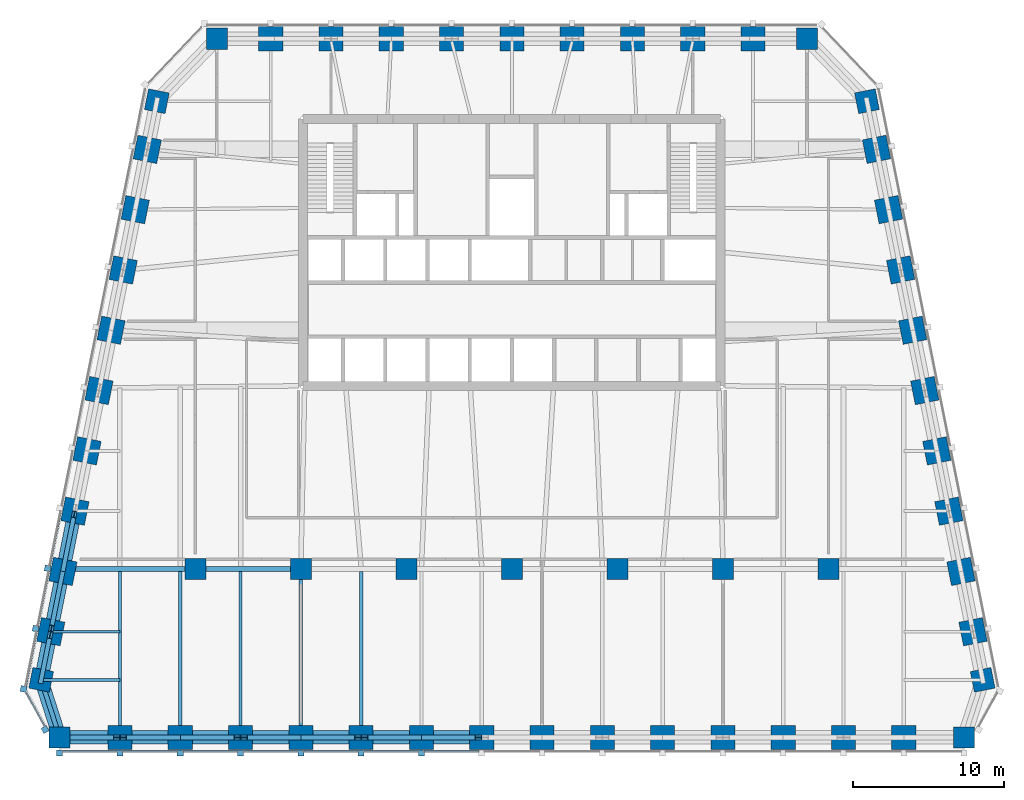
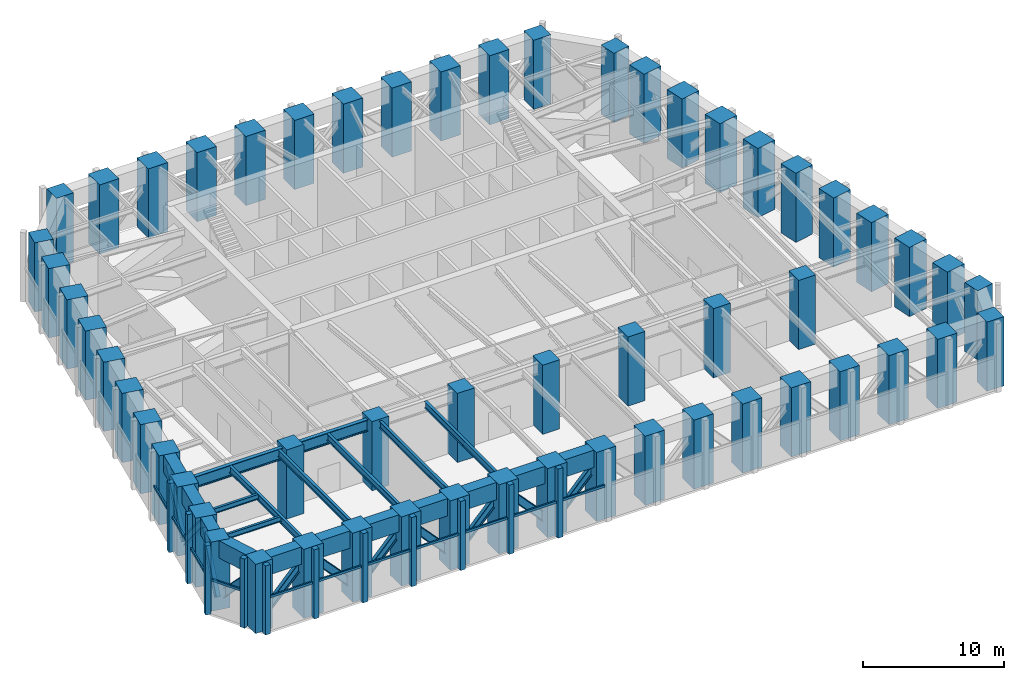
# One storey, part 1 of 9: 56 columns, 33 members, 20 beams, 3 elements without a shape of their own.
"""IFC4 building model written with IfcOpenShell, lengths in metres."""

import ifcopenshell
import ifcopenshell.guid

model = None  # the IFC model being written
_history = None  # IfcOwnerHistory: only IFC2X3 demands one
_inside = {}  # id of a spatial element -> (the spatial element, [elements in it])
_under = {}  # id of a project, library or spatial element -> (it, [spatial elements below it])
_declared = {}  # id of a project -> (the project, [libraries it declares])
_typed = {}  # id of a type object -> (the type object, [elements of that type])
_made_of = {}  # id of a material, layer set ... -> (it, [elements and type objects made of it])


def new_model(schema):
    """Start an empty IFC model of exactly this schema.

    Asked for "IFC4X3", IfcOpenShell would pick the latest addendum, in which some entities
    have other attributes; the version numbers below select the first issue.
    IFC2X3 requires an IfcOwnerHistory on every rooted entity: one is made here for all.
    """
    global model, _history
    if schema == "IFC4X3":
        model = ifcopenshell.file(schema_version=(4, 3, 0, 0))
    else:
        model = ifcopenshell.file(schema=schema)
    _inside.clear()
    _under.clear()
    _declared.clear()
    _typed.clear()
    _made_of.clear()
    _history = None
    if model.schema == "IFC2X3":
        org = make("IfcOrganization", Name="unknown")
        user = make(
            "IfcPersonAndOrganization",
            ThePerson=make("IfcPerson", FamilyName="unknown"),
            TheOrganization=org,
        )
        app = make(
            "IfcApplication",
            ApplicationDeveloper=org,
            Version="unknown",
            ApplicationFullName="unknown",
            ApplicationIdentifier="unknown",
        )
        _history = make(
            "IfcOwnerHistory",
            OwningUser=user,
            OwningApplication=app,
            ChangeAction="ADDED",
            CreationDate=0,
        )
    return model


def make(cls, **values):
    """One entity of the class cls with the attributes given. An attribute that is None is left unset."""
    return model.create_entity(
        cls, **{name: value for name, value in values.items() if value is not None}
    )


def rooted(cls, **values):
    """An entity with a GlobalId (a new one), such as an element, a storey or a relation."""
    return make(cls, GlobalId=ifcopenshell.guid.new(), OwnerHistory=_history, **values)


def si_unit(unit_type, name, prefix=None):
    """IfcSIUnit, for example si_unit("LENGTHUNIT", "METRE", prefix="MILLI")."""
    return make("IfcSIUnit", UnitType=unit_type, Prefix=prefix, Name=name)


def assignment(units):
    """IfcUnitAssignment: the units of a project."""
    return None if units is None else make("IfcUnitAssignment", Units=units)


def point(xyz):
    """IfcCartesianPoint."""
    return None if xyz is None else make("IfcCartesianPoint", Coordinates=xyz)


def direction(xyz):
    """IfcDirection."""
    return None if xyz is None else make("IfcDirection", DirectionRatios=xyz)


def frame(location, z_axis=None, x_axis=None):
    """IfcAxis2Placement3D, a coordinate frame: its origin and axes. An axis left out is left unset."""
    return make(
        "IfcAxis2Placement3D",
        Location=point(location),
        Axis=direction(z_axis),
        RefDirection=direction(x_axis),
    )


def frame_2d(location, x_axis=None):
    """IfcAxis2Placement2D, a coordinate frame in the plane: its origin and x axis."""
    return make(
        "IfcAxis2Placement2D", Location=point(location), RefDirection=direction(x_axis)
    )


def origin():
    """The frame at (0, 0, 0) with its axes left unset."""
    return frame((0.0, 0.0, 0.0))


def origin_2d():
    """The frame at (0, 0) in the plane with its x axis left unset."""
    return frame_2d((0.0, 0.0))


def place(relative_to, where):
    """IfcLocalPlacement: puts the frame where relative to a parent placement (None: the world)."""
    return make(
        "IfcLocalPlacement", PlacementRelTo=relative_to, RelativePlacement=where
    )


def context(
    kind, dimensions, precision=None, world=None, true_north=None, identifier=None
):
    """IfcGeometricRepresentationContext, for example the 3D "Model" context."""
    return make(
        "IfcGeometricRepresentationContext",
        ContextIdentifier=identifier,
        ContextType=kind,
        CoordinateSpaceDimension=dimensions,
        Precision=precision,
        WorldCoordinateSystem=world,
        TrueNorth=true_north,
    )


def subcontext(parent, identifier, kind, view, scale=None):
    """IfcGeometricRepresentationSubContext, for example "Body" below "Model"."""
    return make(
        "IfcGeometricRepresentationSubContext",
        ContextIdentifier=identifier,
        ContextType=kind,
        ParentContext=parent,
        TargetScale=scale,
        TargetView=view,
    )


def project(units=None, contexts=None):
    """IfcProject with its units and contexts."""
    return rooted(
        "IfcProject",
        Name="project",
        RepresentationContexts=contexts,
        UnitsInContext=assignment(units),
    )


def spatial(cls, under=None, at=None, **own):
    """A site, building, storey or space (cls), placed at a placement, below another one or the project."""
    s = rooted(cls, ObjectPlacement=at, **own)
    if under is not None:
        _under.setdefault(under.id(), (under, []))[1].append(s)
    return s


def profile(cls, at=None, kind="AREA", **sizes):
    """A parametric profile (cls). Its sizes go by their IFC names, for example OverallWidth=200.0."""
    return make(cls, ProfileType=kind, Position=at, **sizes)


def rectangle(**sizes):
    """IfcRectangleProfileDef."""
    return profile("IfcRectangleProfileDef", **sizes)


def i_section(**sizes):
    """IfcIShapeProfileDef."""
    return profile("IfcIShapeProfileDef", **sizes)


def extrude(swept, where, along, depth):
    """IfcExtrudedAreaSolid: the profile swept, set in the frame where, extruded along a direction by depth."""
    return make(
        "IfcExtrudedAreaSolid",
        SweptArea=swept,
        Position=where,
        ExtrudedDirection=direction(along),
        Depth=depth,
    )


def shape(context_of_items, identifier, shape_type, items):
    """IfcShapeRepresentation: the items that make up one representation, for example the "Body"."""
    return make(
        "IfcShapeRepresentation",
        ContextOfItems=context_of_items,
        RepresentationIdentifier=identifier,
        RepresentationType=shape_type,
        Items=items,
    )


def material(Name=None, Category=None):
    """IfcMaterial."""
    return make("IfcMaterial", Name=Name, Category=Category)


def material_profile(
    of_material, cross_section, Name=None, Category=None, Priority=None
):
    """IfcMaterialProfile: a cross section and its material."""
    return make(
        "IfcMaterialProfile",
        Name=Name,
        Material=of_material,
        Profile=cross_section,
        Priority=Priority,
        Category=Category,
    )


def profile_set(profiles, Name=None, composite=None):
    """IfcMaterialProfileSet."""
    return make(
        "IfcMaterialProfileSet",
        Name=Name,
        MaterialProfiles=profiles,
        CompositeProfile=composite,
    )


def made_of(thing, what):
    """Note that an element or type object is made of a material, layer set ...; save() writes the relation."""
    if what is not None:
        _made_of.setdefault(what.id(), (what, []))[1].append(thing)
    return thing


def type_object(cls, material=None, **own):
    """A type object (cls), such as IfcWallType, which elements share."""
    return made_of(rooted(cls, **own), material)


def element(
    cls,
    number,
    at=None,
    inside=None,
    cuts=None,
    type_object=None,
    material=None,
    context=None,
    identifier="Body",
    shape_type=None,
    held_by="IfcProductDefinitionShape",
    body=None,
    shapes=None,
    **own,
):
    """One element of the class cls, such as IfcWall. Its Tag is "e" and its number.

    at: its placement. inside: the storey or other place that contains it. cuts: it is an
    opening in that element (IfcRelVoidsElement). A single representation is given by context,
    identifier, shape_type and body (its items); several are given by shapes. held_by: the class
    of the entity that holds the representations. save() writes the other relations.
    """
    e = rooted(cls, Tag="e%d" % number, ObjectPlacement=at, **own)
    if body is not None:
        shapes = [shape(context, identifier, shape_type, body)]
    if shapes is not None:
        e.Representation = make(held_by, Representations=shapes)
    if inside is not None:
        _inside.setdefault(inside.id(), (inside, []))[1].append(e)
    if cuts is not None:
        rooted(
            "IfcRelVoidsElement", RelatingBuildingElement=cuts, RelatedOpeningElement=e
        )
    if type_object is not None:
        _typed.setdefault(type_object.id(), (type_object, []))[1].append(e)
    return made_of(e, material)


def aggregate(whole, parts):
    """IfcRelAggregates: a whole, such as a stair, and the parts it consists of."""
    return rooted("IfcRelAggregates", RelatingObject=whole, RelatedObjects=parts)


def save(model, path):
    """Write the relations noted so far, then the file.

    IfcRelAggregates (storeys below a building ...), IfcRelContainedInSpatialStructure (elements
    in a storey), IfcRelDefinesByType, IfcRelAssociatesMaterial and IfcRelDeclares: one each for
    every whole, place, type object, material and project.
    """
    for whole, parts in _under.values():
        aggregate(whole, parts)
    for where, things in _inside.values():
        rooted(
            "IfcRelContainedInSpatialStructure",
            RelatedElements=things,
            RelatingStructure=where,
        )
    for kind, things in _typed.values():
        rooted("IfcRelDefinesByType", RelatedObjects=things, RelatingType=kind)
    for what, things in _made_of.values():
        rooted("IfcRelAssociatesMaterial", RelatedObjects=things, RelatingMaterial=what)
    for by, libraries in _declared.values():
        rooted("IfcRelDeclares", RelatingContext=by, RelatedDefinitions=libraries)
    model.write(path)


model = new_model("IFC4")

# Units and contexts
model_context = context("Model", 3, precision=1e-05, world=origin(), true_north=direction((0.0, 1.0)))
body_context = subcontext(model_context, "Body", "Model", "MODEL_VIEW")
ifc_project = project(units=[si_unit("LENGTHUNIT", "METRE"), si_unit("AREAUNIT", "SQUARE_METRE"), si_unit("VOLUMEUNIT", "CUBIC_METRE"), si_unit("PLANEANGLEUNIT", "RADIAN"), si_unit("MASSUNIT", "GRAM", prefix="KILO")], contexts=[model_context])

# Site, building, storey
site_placement = place(None, origin())
site = spatial("IfcSite", under=ifc_project, at=site_placement, CompositionType="ELEMENT")
building_placement = place(site_placement, origin())
building = spatial("IfcBuilding", under=site, at=building_placement, Name="Isbrekke Arena Tower", CompositionType="ELEMENT")
storey_placement = place(building_placement, frame((0.0, 0.0, 242.0)))
storey = spatial("IfcBuildingStorey", under=building, at=storey_placement, Name="L56", CompositionType="ELEMENT", Elevation=242.0)

# Columns
ifc_material_1 = material(Name="Concrete B65 (C65/80)", Category="concrete")
ifc_material_profile_1 = material_profile(ifc_material_1, rectangle(XDim=1.39990234375, YDim=1.39990234375, at=origin_2d()), Name="RC 1400x1400")
ifc_profile_set_1 = profile_set([ifc_material_profile_1], Name="Concrete B65 (C65/80)")
column_type_1 = type_object("IfcColumnType", Name="C13 RC 1400 x 1400", PredefinedType="COLUMN", material=ifc_profile_set_1)
for number, where, z_axis, x_axis, name in (
    (1, (-21.0, -6.0, 0.0), (0.0, 0.0, 1.0), (1.0, 0.0, 0.0), "C13 I01"),
    (2, (-14.0, -6.0, 0.0), (0.0, 0.0, 1.0), (1.0, 0.0, 0.0), "C13 I02"),
    (3, (-7.0, -6.0, 0.0), (0.0, 0.0, 1.0), (1.0, 0.0, 0.0), "C13 I03"),
    (4, (0.0, -6.0, 0.0), (0.0, 0.0, 1.0), (1.0, 0.0, 0.0), "C13 I04"),
    (5, (7.0, -6.0, 0.0), (0.0, 0.0, 1.0), (1.0, 0.0, 0.0), "C13 I05"),
    (6, (14.0, -6.0, 0.0), (0.0, 0.0, 1.0), (1.0, 0.0, 0.0), "C13 I06"),
    (7, (21.0, -6.0, 0.0), (0.0, 0.0, 1.0), (1.0, 0.0, 0.0), "C13 I07"),
):
    element("IfcColumn", number, at=place(storey_placement, frame(where, z_axis=z_axis, x_axis=x_axis)), inside=storey, type_object=column_type_1, Name=name, PredefinedType="COLUMN", context=body_context, shape_type="SweptSolid", body=[
        extrude(rectangle(XDim=1.39990234375, YDim=1.39990234375, at=origin_2d()), origin(), (0.0, 0.0, 1.0), 6.0),
    ])
ifc_material_2 = material(Name="Concrete B65 (C65/80)", Category="concrete")
ifc_material_profile_2 = material_profile(ifc_material_2, rectangle(XDim=1.60009765625, YDim=1.60009765625, at=origin_2d()), Name="RC 1600x1600")
ifc_profile_set_2 = profile_set([ifc_material_profile_2], Name="Concrete B65 (C65/80)")
column_type_2 = type_object("IfcColumnType", Name="C4 RC 1600 x 1600", PredefinedType="COLUMN", material=ifc_profile_set_2)
for number, where, z_axis, x_axis, name in (
    (8, (-26.0, -17.175048828125, 0.0), (0.0, 0.0, 1.0), (1.0, 0.0, 0.0), "C4 S02"),
    (9, (-22.0, -17.175048828125, 0.0), (0.0, 0.0, 1.0), (1.0, 0.0, 0.0), "C4 S03"),
    (10, (-18.0, -17.175048828125, 0.0), (0.0, 0.0, 1.0), (1.0, 0.0, 0.0), "C4 S04"),
    (11, (-14.0, -17.175048828125, 0.0), (0.0, 0.0, 1.0), (1.0, 0.0, 0.0), "C4 S05"),
    (12, (-10.0, -17.175048828125, 0.0), (0.0, 0.0, 1.0), (1.0, 0.0, 0.0), "C4 S06"),
    (13, (-6.0, -17.175048828125, 0.0), (0.0, 0.0, 1.0), (1.0, 0.0, 0.0), "C4 S07"),
    (14, (-2.0, -17.175048828125, 0.0), (0.0, 0.0, 1.0), (1.0, 0.0, 0.0), "C4 S08"),
    (15, (2.0, -17.175048828125, 0.0), (0.0, 0.0, 1.0), (1.0, 0.0, 0.0), "C4 S09"),
    (16, (6.0, -17.175048828125, 0.0), (0.0, 0.0, 1.0), (1.0, 0.0, 0.0), "C4 S10"),
    (17, (10.0, -17.175048828125, 0.0), (0.0, 0.0, 1.0), (1.0, 0.0, 0.0), "C4 S11"),
    (18, (14.0, -17.175048828125, 0.0), (0.0, 0.0, 1.0), (1.0, 0.0, 0.0), "C4 S12"),
    (19, (18.0, -17.175048828125, 0.0), (0.0, 0.0, 1.0), (1.0, 0.0, 0.0), "C4 S13"),
    (20, (22.0, -17.175048828125, 0.0), (0.0, 0.0, 1.0), (1.0, 0.0, 0.0), "C4 S14"),
    (21, (26.0, -17.175048828125, 0.0), (0.0, 0.0, 1.0), (1.0, 0.0, 0.0), "C4 S15"),
    (22, (30.591064453125, -10.161865234375, 0.0), (0.0, 0.0, 1.0), (-0.196116135138, 0.980580675691, 0.0), "C4 E02"),
    (23, (29.791015625, -6.161865234375, 0.0), (0.0, 0.0, 1.0), (-0.196116135138, 0.980580675691, 0.0), "C4 E03"),
    (24, (28.990966796875, -2.161865234375, 0.0), (0.0, 0.0, 1.0), (-0.196116135138, 0.980580675691, 0.0), "C4 E04"),
    (25, (28.19091796875, 1.838134765625, 0.0), (0.0, 0.0, 1.0), (-0.196116135138, 0.980580675691, 0.0), "C4 E05"),
    (26, (27.39111328125, 5.838134765625, 0.0), (0.0, 0.0, 1.0), (-0.196116135138, 0.980580675691, 0.0), "C4 E06"),
    (27, (26.591064453125, 9.838134765625, 0.0), (0.0, 0.0, 1.0), (-0.196116135138, 0.980580675691, 0.0), "C4 E07"),
    (28, (25.791015625, 13.838134765625, 0.0), (0.0, 0.0, 1.0), (-0.196116135138, 0.980580675691, 0.0), "C4 E08"),
    (29, (24.990966796875, 17.838134765625, 0.0), (0.0, 0.0, 1.0), (-0.196116135138, 0.980580675691, 0.0), "C4 E09"),
    (30, (24.19091796875, 21.838134765625, 0.0), (0.0, 0.0, 1.0), (-0.196116135138, 0.980580675691, 0.0), "C4 E10"),
    (31, (16.0, 29.175048828125, 0.0), (0.0, 0.0, 1.0), (-1.0, 0.0, 0.0), "C4 N02"),
    (32, (12.0, 29.175048828125, 0.0), (0.0, 0.0, 1.0), (-1.0, 0.0, 0.0), "C4 N03"),
    (33, (8.0, 29.175048828125, 0.0), (0.0, 0.0, 1.0), (-1.0, 0.0, 0.0), "C4 N04"),
    (34, (4.0, 29.175048828125, 0.0), (0.0, 0.0, 1.0), (-1.0, 0.0, 0.0), "C4 N05"),
    (35, (0.0, 29.175048828125, 0.0), (0.0, 0.0, 1.0), (-1.0, 0.0, 0.0), "C4 N06"),
    (36, (-4.0, 29.175048828125, 0.0), (0.0, 0.0, 1.0), (-1.0, 0.0, 0.0), "C4 N07"),
    (37, (-8.0, 29.175048828125, 0.0), (0.0, 0.0, 1.0), (-1.0, 0.0, 0.0), "C4 N08"),
    (38, (-12.0, 29.175048828125, 0.0), (0.0, 0.0, 1.0), (-1.0, 0.0, 0.0), "C4 N09"),
    (39, (-16.0, 29.175048828125, 0.0), (0.0, 0.0, 1.0), (-1.0, 0.0, 0.0), "C4 N10"),
    (40, (-24.19091796875, 21.838134765625, 0.0), (0.0, 0.0, 1.0), (-0.196116135138, -0.980580675691, 0.0), "C4 W02"),
    (41, (-24.990966796875, 17.838134765625, 0.0), (0.0, 0.0, 1.0), (-0.196116135138, -0.980580675691, 0.0), "C4 W03"),
    (42, (-25.791015625, 13.838134765625, 0.0), (0.0, 0.0, 1.0), (-0.196116135138, -0.980580675691, 0.0), "C4 W04"),
    (43, (-26.591064453125, 9.838134765625, 0.0), (0.0, 0.0, 1.0), (-0.196116135138, -0.980580675691, 0.0), "C4 W05"),
    (44, (-27.39111328125, 5.838134765625, 0.0), (0.0, 0.0, 1.0), (-0.196116135138, -0.980580675691, 0.0), "C4 W06"),
    (45, (-28.19091796875, 1.838134765625, 0.0), (0.0, 0.0, 1.0), (-0.196116135138, -0.980580675691, 0.0), "C4 W07"),
    (46, (-28.990966796875, -2.161865234375, 0.0), (0.0, 0.0, 1.0), (-0.196116135138, -0.980580675691, 0.0), "C4 W08"),
    (47, (-29.791015625, -6.161865234375, 0.0), (0.0, 0.0, 1.0), (-0.196116135138, -0.980580675691, 0.0), "C4 W09"),
    (48, (-30.591064453125, -10.161865234375, 0.0), (0.0, 0.0, 1.0), (-0.196116135138, -0.980580675691, 0.0), "C4 W10"),
):
    element("IfcColumn", number, at=place(storey_placement, frame(where, z_axis=z_axis, x_axis=x_axis)), inside=storey, type_object=column_type_2, Name=name, PredefinedType="COLUMN", context=body_context, shape_type="SweptSolid", body=[
        extrude(rectangle(XDim=1.60009765625, YDim=1.60009765625, at=origin_2d()), origin(), (0.0, 0.0, 1.0), 6.0),
    ])
ifc_material_3 = material(Name="Concrete B65 (C65/80)", Category="concrete")
ifc_material_profile_3 = material_profile(ifc_material_3, rectangle(XDim=1.39990234375, YDim=1.39990234375, at=origin_2d()), Name="RC 1400x1400")
ifc_profile_set_3 = profile_set([ifc_material_profile_3], Name="Concrete B65 (C65/80)")
column_type_3 = type_object("IfcColumnType", Name="C8 RC 1400 x 1400", PredefinedType="COLUMN", material=ifc_profile_set_3)
for number, where, z_axis, x_axis, name in (
    (49, (-30.0, -17.175048828125, 0.0), (0.0, 0.0, 1.0), (1.0, 0.0, 0.0), "C8 S01"),
    (50, (30.0, -17.175048828125, 0.0), (0.0, 0.0, 1.0), (1.0, 0.0, 0.0), "C8 S16"),
    (51, (31.229248046875, -13.352783203125, 0.0), (0.0, 0.0, 1.0), (-0.196116135138, 0.980580675691, 0.0), "C8 E01"),
    (52, (23.552734375, 25.029296875, 0.0), (0.0, 0.0, 1.0), (-0.196116135138, 0.980580675691, 0.0), "C8 E11"),
    (53, (19.574951171875, 29.175048828125, 0.0), (0.0, 0.0, 1.0), (-1.0, 0.0, 0.0), "C8 N01"),
    (54, (-19.574951171875, 29.175048828125, 0.0), (0.0, 0.0, 1.0), (-1.0, 0.0, 0.0), "C8 N11"),
    (55, (-23.552734375, 25.029296875, 0.0), (0.0, 0.0, 1.0), (-0.196116135138, -0.980580675691, 0.0), "C8 W01"),
    (56, (-31.229248046875, -13.352783203125, 0.0), (0.0, 0.0, 1.0), (-0.196116135138, -0.980580675691, 0.0), "C8 W11"),
):
    element("IfcColumn", number, at=place(storey_placement, frame(where, z_axis=z_axis, x_axis=x_axis)), inside=storey, type_object=column_type_3, Name=name, PredefinedType="COLUMN", context=body_context, shape_type="SweptSolid", body=[
        extrude(rectangle(XDim=1.39990234375, YDim=1.39990234375, at=origin_2d()), origin(), (0.0, 0.0, 1.0), 6.0),
    ])

# Beams
ifc_material_4 = material(Name="Steel S355", Category="steel")
ifc_material_profile_4 = material_profile(ifc_material_4, i_section(OverallWidth=0.219970703125, OverallDepth=0.60009765625, WebThickness=0.011962890625, FlangeThickness=0.01904296875, FilletRadius=0.02392578125, at=origin_2d()), Name="IPE 600")
ifc_profile_set_4 = profile_set([ifc_material_profile_4], Name="Steel S355")
beam_type_1 = type_object("IfcBeamType", Name="B1 IPE 600", PredefinedType="BEAM", material=ifc_profile_set_4)
for number, where, z_axis, x_axis, name in (
    (57, (-26.0, -17.02490234375, 5.550048828125), (0.0, 1.0, 0.0), (-1.0, 0.0, 0.0), "B1 beam S-S02 L56"),
    (58, (-22.0, -17.02490234375, 5.550048828125), (0.0, 1.0, 0.0), (-1.0, 0.0, 0.0), "B1 beam S-S03 L56"),
    (59, (-18.0, -17.02490234375, 5.550048828125), (0.0, 1.0, 0.0), (-1.0, 0.0, 0.0), "B1 beam S-S04 L56"),
):
    element("IfcBeam", number, at=place(storey_placement, frame(where, z_axis=z_axis, x_axis=x_axis)), inside=storey, type_object=beam_type_1, Name=name, PredefinedType="BEAM", context=body_context, shape_type="SweptSolid", body=[
        extrude(i_section(OverallWidth=0.219970703125, OverallDepth=0.60009765625, WebThickness=0.011962890625, FlangeThickness=0.01904296875, FilletRadius=0.02392578125, at=origin_2d()), origin(), (0.0, 0.0, 1.0), 10.8740234375),
    ])
beam_1_placement = place(storey_placement, frame((-14.0, -17.02490234375, 5.550048828125), z_axis=(0.0, 1.0, 0.0), x_axis=(-1.0, 0.0, 0.0)))
element("IfcBeam", 60, at=beam_1_placement, inside=storey, type_object=beam_type_1, Name="B1 beam S-S05 L56", PredefinedType="BEAM", context=body_context, shape_type="SweptSolid", body=[
    extrude(i_section(OverallWidth=0.219970703125, OverallDepth=0.60009765625, WebThickness=0.011962890625, FlangeThickness=0.01904296875, FilletRadius=0.02392578125, at=origin_2d()), origin(), (0.0, 0.0, 1.0), 10.875),
])
beam_2_placement = place(storey_placement, frame((-10.0, -17.02490234375, 5.550048828125), z_axis=(0.0, 1.0, 0.0), x_axis=(-1.0, 0.0, 0.0)))
element("IfcBeam", 61, at=beam_2_placement, inside=storey, type_object=beam_type_1, Name="B1 beam S-S06 L56", PredefinedType="BEAM", context=body_context, shape_type="SweptSolid", body=[
    extrude(i_section(OverallWidth=0.219970703125, OverallDepth=0.60009765625, WebThickness=0.011962890625, FlangeThickness=0.01904296875, FilletRadius=0.02392578125, at=origin_2d()), origin(), (0.0, 0.0, 1.0), 10.8740234375),
])
ifc_material_5 = material(Name="Steel S355", Category="steel")
ifc_material_profile_5 = material_profile(ifc_material_5, i_section(OverallWidth=0.18994140625, OverallDepth=0.449951171875, WebThickness=0.009521484375, FlangeThickness=0.0146484375, FilletRadius=0.02099609375, at=origin_2d()), Name="IPE 450")
ifc_profile_set_5 = profile_set([ifc_material_profile_5], Name="Steel S355")
beam_type_2 = type_object("IfcBeamType", Name="B2 IPE 450", PredefinedType="BEAM", material=ifc_profile_set_5)
beam_3_placement = place(storey_placement, frame((-30.44091796875, -10.161865234375, 5.625), z_axis=(1.0, 0.0, 0.0), x_axis=(0.0, 1.0, 0.0)))
element("IfcBeam", 62, at=beam_3_placement, inside=storey, type_object=beam_type_2, Name="B2 beam E-W10 L56", PredefinedType="BEAM", context=body_context, shape_type="SweptSolid", body=[
    extrude(i_section(OverallWidth=0.18994140625, OverallDepth=0.449951171875, WebThickness=0.009521484375, FlangeThickness=0.0146484375, FilletRadius=0.02099609375, at=origin_2d()), origin(), (0.0, 0.0, 1.0), 4.44091796875),
])
beam_4_placement = place(storey_placement, frame((-31.079345703125, -13.352783203125, 5.625), z_axis=(1.0, 0.0, 0.0), x_axis=(0.0, 1.0, 0.0)))
element("IfcBeam", 63, at=beam_4_placement, inside=storey, type_object=beam_type_2, Name="B2 beam E-W11 L56", PredefinedType="BEAM", context=body_context, shape_type="SweptSolid", body=[
    extrude(i_section(OverallWidth=0.18994140625, OverallDepth=0.449951171875, WebThickness=0.009521484375, FlangeThickness=0.0146484375, FilletRadius=0.02099609375, at=origin_2d()), origin(), (0.0, 0.0, 1.0), 5.079345703125),
])

# Members
ifc_material_6 = material(Name="Steel S355", Category="steel")
ifc_material_profile_6 = material_profile(ifc_material_6, i_section(OverallWidth=0.304931640625, OverallDepth=0.6201171875, WebThickness=0.02099609375, FlangeThickness=0.0400390625, FilletRadius=0.027099609375, at=origin_2d()), Name="HEM 600")
ifc_profile_set_6 = profile_set([ifc_material_profile_6], Name="Steel S355")
member_type_1 = type_object("IfcMemberType", Name="BT1 HEM 600", PredefinedType="BRACE", material=ifc_profile_set_6)
for number, where, z_axis, x_axis, name in (
    (64, (-30.0, -17.175048828125, 0.60009765625), (0.681122032107, 0.0, 0.732169910183), (0.0, 1.0, 0.0), "BT1 belt truss diagonal S01 L56"),
    (65, (-25.781982421875, -17.175048828125, 4.66552734375), (0.681122032107, 0.0, -0.732169910183), (0.0, 1.0, 0.0), "BT1 belt truss diagonal S02 L56"),
    (66, (-22.0, -17.175048828125, 0.60009765625), (0.681122032107, 0.0, 0.732169910183), (0.0, 1.0, 0.0), "BT1 belt truss diagonal S03 L56"),
    (67, (-17.781982421875, -17.175048828125, 4.66552734375), (0.681122032107, 0.0, -0.732169910183), (0.0, 1.0, 0.0), "BT1 belt truss diagonal S04 L56"),
    (68, (-14.0, -17.175048828125, 0.60009765625), (0.681122032107, 0.0, 0.732169910183), (0.0, 1.0, 0.0), "BT1 belt truss diagonal S05 L56"),
    (69, (-9.781982421875, -17.175048828125, 4.66552734375), (0.681122032107, 0.0, -0.732169910183), (0.0, 1.0, 0.0), "BT1 belt truss diagonal S06 L56"),
    (70, (-6.0, -17.175048828125, 0.60009765625), (0.681122032107, 0.0, 0.732169910183), (0.0, 1.0, 0.0), "BT1 belt truss diagonal S07 L56"),
):
    element("IfcMember", number, at=place(storey_placement, frame(where, z_axis=z_axis, x_axis=x_axis)), inside=storey, type_object=member_type_1, Name=name, PredefinedType="BRACE", context=body_context, shape_type="SweptSolid", body=[
        extrude(i_section(OverallWidth=0.304931640625, OverallDepth=0.6201171875, WebThickness=0.02099609375, FlangeThickness=0.0400390625, FilletRadius=0.027099609375, at=origin_2d()), origin(), (0.0, 0.0, 1.0), 5.552490234375),
    ])
for number, where, z_axis, x_axis, name in (
    (71, (-29.033935546875, -2.37646484375, 4.66943359375), (-0.134973713861, -0.674868569303, -0.725489152734), (0.980580675691, -0.196116135138, 0.0), "BT1 belt truss diagonal W08 L56"),
    (72, (-29.791015625, -6.161865234375, 0.60009765625), (-0.134973713861, -0.674868569303, 0.725489152734), (0.980580675691, -0.196116135138, 0.0), "BT1 belt truss diagonal W09 L56"),
):
    element("IfcMember", number, at=place(storey_placement, frame(where, z_axis=z_axis, x_axis=x_axis)), inside=storey, type_object=member_type_1, Name=name, PredefinedType="BRACE", context=body_context, shape_type="SweptSolid", body=[
        extrude(i_section(OverallWidth=0.304931640625, OverallDepth=0.6201171875, WebThickness=0.02099609375, FlangeThickness=0.0400390625, FilletRadius=0.027099609375, at=origin_2d()), origin(), (0.0, 0.0, 1.0), 5.609130859375),
    ])
member_1_placement = place(storey_placement, frame((-30.63232421875, -10.3681640625, 4.6220703125), z_axis=(-0.118346606157, -0.591733030783, -0.79739958684), x_axis=(0.980580675691, -0.196116135138, 0.0)))
element("IfcMember", 73, at=member_1_placement, inside=storey, type_object=member_type_1, Name="BT1 belt truss diagonal W10 L56", PredefinedType="BRACE", context=body_context, shape_type="SweptSolid", body=[
    extrude(i_section(OverallWidth=0.304931640625, OverallDepth=0.6201171875, WebThickness=0.02099609375, FlangeThickness=0.0400390625, FilletRadius=0.027099609375, at=origin_2d()), origin(), (0.0, 0.0, 1.0), 5.0439453125),
])
member_2_placement = place(storey_placement, frame((-31.229248046875, -13.352783203125, 0.60009765625), z_axis=(0.208935562442, -0.649714556176, 0.730901447694), x_axis=(0.951986403059, 0.306140308339, 0.0)))
element("IfcMember", 74, at=member_2_placement, inside=storey, type_object=member_type_1, Name="BT1 belt truss diagonal W11 L56", PredefinedType="BRACE", context=body_context, shape_type="SweptSolid", body=[
    extrude(i_section(OverallWidth=0.304931640625, OverallDepth=0.6201171875, WebThickness=0.02099609375, FlangeThickness=0.0400390625, FilletRadius=0.027099609375, at=origin_2d()), origin(), (0.0, 0.0, 1.0), 5.563232421875),
])

# Curtain wall, members
ifc_material_7 = material(Name="Glazed aluminium curtain wall", Category="aluminium")
curtain_wall_type = type_object("IfcCurtainWallType", Name="CWR PLANT LOUVRE WALL", PredefinedType="USERDEFINED", material=ifc_material_7)
curtain_wall_1_placement = place(storey_placement, origin())
curtain_wall_1 = element("IfcCurtainWall", 75, at=curtain_wall_1_placement, inside=storey, type_object=curtain_wall_type, Name="CWR curtain wall L56-S", ObjectType="PLANT LOUVRE WALL", PredefinedType="USERDEFINED")
ifc_material_8 = material(Name="Aluminium mullion, pale brick slip cladding", Category="masonry")
ifc_material_profile_7 = material_profile(ifc_material_8, rectangle(XDim=0.39990234375, YDim=0.39990234375, at=origin_2d()), Name="PIER 400X400")
ifc_profile_set_7 = profile_set([ifc_material_profile_7], Name="Aluminium mullion, pale brick slip cladding")
member_type_2 = type_object("IfcMemberType", Name="CWR-M PIER MULLION 400 x 400", PredefinedType="MULLION", material=ifc_profile_set_7)
member_3_placement = place(storey_placement, frame((-30.0, -18.199951171875, 0.0), z_axis=(0.0, 0.0, 1.0), x_axis=(1.0, 0.0, 0.0)))
member_3 = element("IfcMember", 76, at=member_3_placement, type_object=member_type_2, Name="CWR-M mullion 1", PredefinedType="MULLION", context=body_context, shape_type="SweptSolid", body=[
    extrude(rectangle(XDim=0.39990234375, YDim=0.39990234375, at=origin_2d()), origin(), (0.0, 0.0, 1.0), 6.0),
])
member_4_placement = place(storey_placement, frame((-26.0, -18.199951171875, 0.0), z_axis=(0.0, 0.0, 1.0), x_axis=(1.0, 0.0, 0.0)))
member_4 = element("IfcMember", 77, at=member_4_placement, type_object=member_type_2, Name="CWR-M mullion 2", PredefinedType="MULLION", context=body_context, shape_type="SweptSolid", body=[
    extrude(rectangle(XDim=0.39990234375, YDim=0.39990234375, at=origin_2d()), origin(), (0.0, 0.0, 1.0), 6.0),
])
member_5_placement = place(storey_placement, frame((-22.0, -18.199951171875, 0.0), z_axis=(0.0, 0.0, 1.0), x_axis=(1.0, 0.0, 0.0)))
member_5 = element("IfcMember", 78, at=member_5_placement, type_object=member_type_2, Name="CWR-M mullion 3", PredefinedType="MULLION", context=body_context, shape_type="SweptSolid", body=[
    extrude(rectangle(XDim=0.39990234375, YDim=0.39990234375, at=origin_2d()), origin(), (0.0, 0.0, 1.0), 6.0),
])
member_6_placement = place(storey_placement, frame((-18.0, -18.199951171875, 0.0), z_axis=(0.0, 0.0, 1.0), x_axis=(1.0, 0.0, 0.0)))
member_6 = element("IfcMember", 79, at=member_6_placement, type_object=member_type_2, Name="CWR-M mullion 4", PredefinedType="MULLION", context=body_context, shape_type="SweptSolid", body=[
    extrude(rectangle(XDim=0.39990234375, YDim=0.39990234375, at=origin_2d()), origin(), (0.0, 0.0, 1.0), 6.0),
])
member_7_placement = place(storey_placement, frame((-14.0, -18.199951171875, 0.0), z_axis=(0.0, 0.0, 1.0), x_axis=(1.0, 0.0, 0.0)))
member_7 = element("IfcMember", 80, at=member_7_placement, type_object=member_type_2, Name="CWR-M mullion 5", PredefinedType="MULLION", context=body_context, shape_type="SweptSolid", body=[
    extrude(rectangle(XDim=0.39990234375, YDim=0.39990234375, at=origin_2d()), origin(), (0.0, 0.0, 1.0), 6.0),
])
member_8_placement = place(storey_placement, frame((-10.0, -18.199951171875, 0.0), z_axis=(0.0, 0.0, 1.0), x_axis=(1.0, 0.0, 0.0)))
member_8 = element("IfcMember", 81, at=member_8_placement, type_object=member_type_2, Name="CWR-M mullion 6", PredefinedType="MULLION", context=body_context, shape_type="SweptSolid", body=[
    extrude(rectangle(XDim=0.39990234375, YDim=0.39990234375, at=origin_2d()), origin(), (0.0, 0.0, 1.0), 6.0),
])
member_9_placement = place(storey_placement, frame((-6.0, -18.199951171875, 0.0), z_axis=(0.0, 0.0, 1.0), x_axis=(1.0, 0.0, 0.0)))
member_9 = element("IfcMember", 82, at=member_9_placement, type_object=member_type_2, Name="CWR-M mullion 7", PredefinedType="MULLION", context=body_context, shape_type="SweptSolid", body=[
    extrude(rectangle(XDim=0.39990234375, YDim=0.39990234375, at=origin_2d()), origin(), (0.0, 0.0, 1.0), 6.0),
])

curtain_wall_2_placement = place(storey_placement, origin())
curtain_wall_2 = element("IfcCurtainWall", 83, at=curtain_wall_2_placement, inside=storey, type_object=curtain_wall_type, Name="CWR curtain wall L56-W", ObjectType="PLANT LOUVRE WALL", PredefinedType="USERDEFINED")
member_10_placement = place(storey_placement, frame((-30.796142578125, -5.960693359375, 0.0), z_axis=(0.0, 0.0, 1.0), x_axis=(-0.196116135138, -0.980580675691, 0.0)))
member_10 = element("IfcMember", 84, at=member_10_placement, type_object=member_type_2, Name="CWR-M mullion 8", PredefinedType="MULLION", context=body_context, shape_type="SweptSolid", body=[
    extrude(rectangle(XDim=0.39990234375, YDim=0.39990234375, at=origin_2d()), origin(), (0.0, 0.0, 1.0), 6.0),
])
member_11_placement = place(storey_placement, frame((-31.59619140625, -9.960693359375, 0.0), z_axis=(0.0, 0.0, 1.0), x_axis=(-0.196116135138, -0.980580675691, 0.0)))
member_11 = element("IfcMember", 85, at=member_11_placement, type_object=member_type_2, Name="CWR-M mullion 9", PredefinedType="MULLION", context=body_context, shape_type="SweptSolid", body=[
    extrude(rectangle(XDim=0.39990234375, YDim=0.39990234375, at=origin_2d()), origin(), (0.0, 0.0, 1.0), 6.0),
])
member_12_placement = place(storey_placement, frame((-32.39599609375, -13.960693359375, 0.0), z_axis=(0.0, 0.0, 1.0), x_axis=(-0.196116135138, -0.980580675691, 0.0)))
member_12 = element("IfcMember", 86, at=member_12_placement, type_object=member_type_2, Name="CWR-M mullion 10", PredefinedType="MULLION", context=body_context, shape_type="SweptSolid", body=[
    extrude(rectangle(XDim=0.39990234375, YDim=0.39990234375, at=origin_2d()), origin(), (0.0, 0.0, 1.0), 6.0),
])

# Curtain wall, member
curtain_wall_3_placement = place(storey_placement, origin())
curtain_wall_3 = element("IfcCurtainWall", 87, at=curtain_wall_3_placement, inside=storey, type_object=curtain_wall_type, Name="CWR curtain wall L56-WS", ObjectType="PLANT LOUVRE WALL", PredefinedType="USERDEFINED")
member_13_placement = place(storey_placement, frame((-30.96875, -16.65380859375, 0.0), z_axis=(0.0, 0.0, 1.0), x_axis=(0.481918749773, -0.876215908676, 0.0)))
member_13 = element("IfcMember", 88, at=member_13_placement, type_object=member_type_2, Name="CWR-M mullion 1", PredefinedType="MULLION", context=body_context, shape_type="SweptSolid", body=[
    extrude(rectangle(XDim=0.39990234375, YDim=0.39990234375, at=origin_2d()), origin(), (0.0, 0.0, 1.0), 6.0),
])

# Member
ifc_material_9 = material(Name="Aluminium transom", Category="aluminium")
ifc_material_profile_8 = material_profile(ifc_material_9, rectangle(XDim=0.1201171875, YDim=0.199951171875, at=origin_2d()), Name="TRANSOM 120X200")
ifc_profile_set_8 = profile_set([ifc_material_profile_8], Name="Aluminium transom")
member_type_3 = type_object("IfcMemberType", Name="CWR-T TRANSOM 120 x 200", PredefinedType="USERDEFINED", material=ifc_profile_set_8)
member_14_placement = place(storey_placement, frame((-29.800048828125, -18.10009765625, 3.0), z_axis=(1.0, 0.0, 0.0), x_axis=(0.0, 1.0, 0.0)))
member_14 = element("IfcMember", 89, at=member_14_placement, type_object=member_type_3, Name="CWR-T transom 1", ObjectType="TRANSOM", PredefinedType="USERDEFINED", context=body_context, shape_type="SweptSolid", body=[
    extrude(rectangle(XDim=0.1201171875, YDim=0.199951171875, at=origin_2d()), origin(), (0.0, 0.0, 1.0), 3.60009765625),
])

member_15_placement = place(storey_placement, frame((-25.800048828125, -18.10009765625, 3.0), z_axis=(1.0, 0.0, 0.0), x_axis=(0.0, 1.0, 0.0)))
member_15 = element("IfcMember", 90, at=member_15_placement, type_object=member_type_3, Name="CWR-T transom 2", ObjectType="TRANSOM", PredefinedType="USERDEFINED", context=body_context, shape_type="SweptSolid", body=[
    extrude(rectangle(XDim=0.1201171875, YDim=0.199951171875, at=origin_2d()), origin(), (0.0, 0.0, 1.0), 3.60009765625),
])

member_16_placement = place(storey_placement, frame((-21.800048828125, -18.10009765625, 3.0), z_axis=(1.0, 0.0, 0.0), x_axis=(0.0, 1.0, 0.0)))
member_16 = element("IfcMember", 91, at=member_16_placement, type_object=member_type_3, Name="CWR-T transom 3", ObjectType="TRANSOM", PredefinedType="USERDEFINED", context=body_context, shape_type="SweptSolid", body=[
    extrude(rectangle(XDim=0.1201171875, YDim=0.199951171875, at=origin_2d()), origin(), (0.0, 0.0, 1.0), 3.60009765625),
])

member_17_placement = place(storey_placement, frame((-17.800048828125, -18.10009765625, 3.0), z_axis=(1.0, 0.0, 0.0), x_axis=(0.0, 1.0, 0.0)))
member_17 = element("IfcMember", 92, at=member_17_placement, type_object=member_type_3, Name="CWR-T transom 4", ObjectType="TRANSOM", PredefinedType="USERDEFINED", context=body_context, shape_type="SweptSolid", body=[
    extrude(rectangle(XDim=0.1201171875, YDim=0.199951171875, at=origin_2d()), origin(), (0.0, 0.0, 1.0), 3.60009765625),
])

member_18_placement = place(storey_placement, frame((-13.800048828125, -18.10009765625, 3.0), z_axis=(1.0, 0.0, 0.0), x_axis=(0.0, 1.0, 0.0)))
member_18 = element("IfcMember", 93, at=member_18_placement, type_object=member_type_3, Name="CWR-T transom 5", ObjectType="TRANSOM", PredefinedType="USERDEFINED", context=body_context, shape_type="SweptSolid", body=[
    extrude(rectangle(XDim=0.1201171875, YDim=0.199951171875, at=origin_2d()), origin(), (0.0, 0.0, 1.0), 3.60009765625),
])

member_19_placement = place(storey_placement, frame((-9.800048828125, -18.10009765625, 3.0), z_axis=(1.0, 0.0, 0.0), x_axis=(0.0, 1.0, 0.0)))
member_19 = element("IfcMember", 94, at=member_19_placement, type_object=member_type_3, Name="CWR-T transom 6", ObjectType="TRANSOM", PredefinedType="USERDEFINED", context=body_context, shape_type="SweptSolid", body=[
    extrude(rectangle(XDim=0.1201171875, YDim=0.199951171875, at=origin_2d()), origin(), (0.0, 0.0, 1.0), 3.60009765625),
])

member_20_placement = place(storey_placement, frame((-5.800048828125, -18.10009765625, 3.0), z_axis=(1.0, 0.0, 0.0), x_axis=(0.0, 1.0, 0.0)))
member_20 = element("IfcMember", 95, at=member_20_placement, type_object=member_type_3, Name="CWR-T transom 7", ObjectType="TRANSOM", PredefinedType="USERDEFINED", context=body_context, shape_type="SweptSolid", body=[
    extrude(rectangle(XDim=0.1201171875, YDim=0.199951171875, at=origin_2d()), origin(), (0.0, 0.0, 1.0), 3.60009765625),
])

aggregate(curtain_wall_1, [member_3, member_4, member_5, member_6, member_7, member_8, member_9, member_14, member_15, member_16, member_17, member_18, member_19, member_20])

member_21_placement = place(storey_placement, frame((-29.937255859375, -2.176513671875, 3.0), z_axis=(-0.196154418484, -0.980573018245, 0.0), x_axis=(0.980573018245, -0.196154418484, 0.0)))
member_21 = element("IfcMember", 96, at=member_21_placement, type_object=member_type_3, Name="CWR-T transom 8", ObjectType="TRANSOM", PredefinedType="USERDEFINED", context=body_context, shape_type="SweptSolid", body=[
    extrude(rectangle(XDim=0.1201171875, YDim=0.199951171875, at=origin_2d()), origin(), (0.0, 0.0, 1.0), 3.67919921875),
])

member_22_placement = place(storey_placement, frame((-30.7373046875, -6.176513671875, 3.0), z_axis=(-0.19609061241, -0.980585779891, 0.0), x_axis=(0.980585779891, -0.19609061241, 0.0)))
member_22 = element("IfcMember", 97, at=member_22_placement, type_object=member_type_3, Name="CWR-T transom 9", ObjectType="TRANSOM", PredefinedType="USERDEFINED", context=body_context, shape_type="SweptSolid", body=[
    extrude(rectangle(XDim=0.1201171875, YDim=0.199951171875, at=origin_2d()), origin(), (0.0, 0.0, 1.0), 3.67919921875),
])

member_23_placement = place(storey_placement, frame((-31.537353515625, -10.176513671875, 3.0), z_axis=(-0.19609061241, -0.980585779891, 0.0), x_axis=(0.980585779891, -0.19609061241, 0.0)))
member_23 = element("IfcMember", 98, at=member_23_placement, type_object=member_type_3, Name="CWR-T transom 10", ObjectType="TRANSOM", PredefinedType="USERDEFINED", context=body_context, shape_type="SweptSolid", body=[
    extrude(rectangle(XDim=0.1201171875, YDim=0.199951171875, at=origin_2d()), origin(), (0.0, 0.0, 1.0), 3.67919921875),
])

aggregate(curtain_wall_2, [member_10, member_11, member_12, member_21, member_22, member_23])

member_24_placement = place(storey_placement, frame((-32.191162109375, -14.223388671875, 3.0), z_axis=(0.48184432879, -0.876256836101, 0.0), x_axis=(0.876256836101, 0.48184432879, 0.0)))
member_24 = element("IfcMember", 99, at=member_24_placement, type_object=member_type_3, Name="CWR-T transom 1", ObjectType="TRANSOM", PredefinedType="USERDEFINED", context=body_context, shape_type="SweptSolid", body=[
    extrude(rectangle(XDim=0.1201171875, YDim=0.199951171875, at=origin_2d()), origin(), (0.0, 0.0, 1.0), 2.518798828125),
])

aggregate(curtain_wall_3, [member_13, member_24])

# Beams
ifc_material_10 = material(Name="Steel S355", Category="steel")
ifc_material_profile_9 = material_profile(ifc_material_10, i_section(OverallWidth=0.302001953125, OverallDepth=1.008056640625, WebThickness=0.02099609375, FlangeThickness=0.0400390625, FilletRadius=0.030029296875, at=origin_2d()), Name="HEM 1000")
ifc_profile_set_9 = profile_set([ifc_material_profile_9], Name="Steel S355")
beam_type_3 = type_object("IfcBeamType", Name="G1 HEM 1000", PredefinedType="BEAM", material=ifc_profile_set_9)
beam_5_placement = place(storey_placement, frame((-29.791015625, -6.0, 5.345947265625), z_axis=(1.0, 0.0, 0.0), x_axis=(0.0, 1.0, 0.0)))
element("IfcBeam", 100, at=beam_5_placement, inside=storey, type_object=beam_type_3, Name="G1 beam G1-01 L56", PredefinedType="BEAM", context=body_context, shape_type="SweptSolid", body=[
    extrude(i_section(OverallWidth=0.302001953125, OverallDepth=1.008056640625, WebThickness=0.02099609375, FlangeThickness=0.0400390625, FilletRadius=0.030029296875, at=origin_2d()), origin(), (0.0, 0.0, 1.0), 8.64111328125),
])
beam_6_placement = place(storey_placement, frame((-20.85009765625, -6.0, 5.345947265625), z_axis=(1.0, 0.0, 0.0), x_axis=(0.0, 1.0, 0.0)))
element("IfcBeam", 101, at=beam_6_placement, inside=storey, type_object=beam_type_3, Name="G1 beam G1-02 L56", PredefinedType="BEAM", context=body_context, shape_type="SweptSolid", body=[
    extrude(i_section(OverallWidth=0.302001953125, OverallDepth=1.008056640625, WebThickness=0.02099609375, FlangeThickness=0.0400390625, FilletRadius=0.030029296875, at=origin_2d()), origin(), (0.0, 0.0, 1.0), 6.7001953125),
])
ifc_material_11 = material(Name="Concrete B65 (C65/80)", Category="concrete")
ifc_material_profile_10 = material_profile(ifc_material_11, rectangle(XDim=0.89990234375, YDim=1.5, at=origin_2d()), Name="RC 900x1500")
ifc_profile_set_10 = profile_set([ifc_material_profile_10], Name="Concrete B65 (C65/80)")
beam_type_4 = type_object("IfcBeamType", Name="SB3 RC 900 x 1500", PredefinedType="SPANDREL", material=ifc_profile_set_10)
for number, where, z_axis, x_axis, name in (
    (102, (-29.85009765625, -17.175048828125, 5.25), (1.0, 0.0, 0.0), (0.0, 1.0, 0.0), "SB3 spandrel S01-S02 L56"),
    (103, (-25.85009765625, -17.175048828125, 5.25), (1.0, 0.0, 0.0), (0.0, 1.0, 0.0), "SB3 spandrel S02-S03 L56"),
    (104, (-21.85009765625, -17.175048828125, 5.25), (1.0, 0.0, 0.0), (0.0, 1.0, 0.0), "SB3 spandrel S03-S04 L56"),
    (105, (-17.85009765625, -17.175048828125, 5.25), (1.0, 0.0, 0.0), (0.0, 1.0, 0.0), "SB3 spandrel S04-S05 L56"),
    (106, (-13.85009765625, -17.175048828125, 5.25), (1.0, 0.0, 0.0), (0.0, 1.0, 0.0), "SB3 spandrel S05-S06 L56"),
    (107, (-9.85009765625, -17.175048828125, 5.25), (1.0, 0.0, 0.0), (0.0, 1.0, 0.0), "SB3 spandrel S06-S07 L56"),
    (108, (-5.85009765625, -17.175048828125, 5.25), (1.0, 0.0, 0.0), (0.0, 1.0, 0.0), "SB3 spandrel S07-S08 L56"),
):
    element("IfcBeam", number, at=place(storey_placement, frame(where, z_axis=z_axis, x_axis=x_axis)), inside=storey, type_object=beam_type_4, Name=name, PredefinedType="SPANDREL", context=body_context, shape_type="SweptSolid", body=[
        extrude(rectangle(XDim=0.89990234375, YDim=1.5, at=origin_2d()), origin(), (0.0, 0.0, 1.0), 3.7001953125),
    ])
beam_7_placement = place(storey_placement, frame((-29.0205078125, -2.308837890625, 5.25), z_axis=(-0.196128558387, -0.980578190959, 0.0), x_axis=(0.980578190959, -0.196128558387, 0.0)))
element("IfcBeam", 109, at=beam_7_placement, inside=storey, type_object=beam_type_4, Name="SB3 spandrel W08-W09 L56", PredefinedType="SPANDREL", context=body_context, shape_type="SweptSolid", body=[
    extrude(rectangle(XDim=0.89990234375, YDim=1.5, at=origin_2d()), origin(), (0.0, 0.0, 1.0), 3.779296875),
])
beam_8_placement = place(storey_placement, frame((-29.820556640625, -6.308837890625, 5.25), z_axis=(-0.1960664412, -0.980590613169, 0.0), x_axis=(0.980590613169, -0.1960664412, 0.0)))
element("IfcBeam", 110, at=beam_8_placement, inside=storey, type_object=beam_type_4, Name="SB3 spandrel W09-W10 L56", PredefinedType="SPANDREL", context=body_context, shape_type="SweptSolid", body=[
    extrude(rectangle(XDim=0.89990234375, YDim=1.5, at=origin_2d()), origin(), (0.0, 0.0, 1.0), 3.779052734375),
])
beam_9_placement = place(storey_placement, frame((-30.620361328125, -10.308837890625, 5.25), z_axis=(-0.196100243168, -0.980583853951, 0.0), x_axis=(0.980583853951, -0.196100243168, 0.0)))
element("IfcBeam", 111, at=beam_9_placement, inside=storey, type_object=beam_type_4, Name="SB3 spandrel W10-W11 L56", PredefinedType="SPANDREL", context=body_context, shape_type="SweptSolid", body=[
    extrude(rectangle(XDim=0.89990234375, YDim=1.5, at=origin_2d()), origin(), (0.0, 0.0, 1.0), 2.954345703125),
])
beam_10_placement = place(storey_placement, frame((-31.183349609375, -13.49560546875, 5.25), z_axis=(0.306175101476, -0.951975213562, 0.0), x_axis=(0.951975213562, 0.306175101476, 0.0)))
element("IfcBeam", 112, at=beam_10_placement, inside=storey, type_object=beam_type_4, Name="SB3 spandrel W11-S01 L56", PredefinedType="SPANDREL", context=body_context, shape_type="SweptSolid", body=[
    extrude(rectangle(XDim=0.89990234375, YDim=1.5, at=origin_2d()), origin(), (0.0, 0.0, 1.0), 3.715087890625),
])

save(model, "model.ifc")
